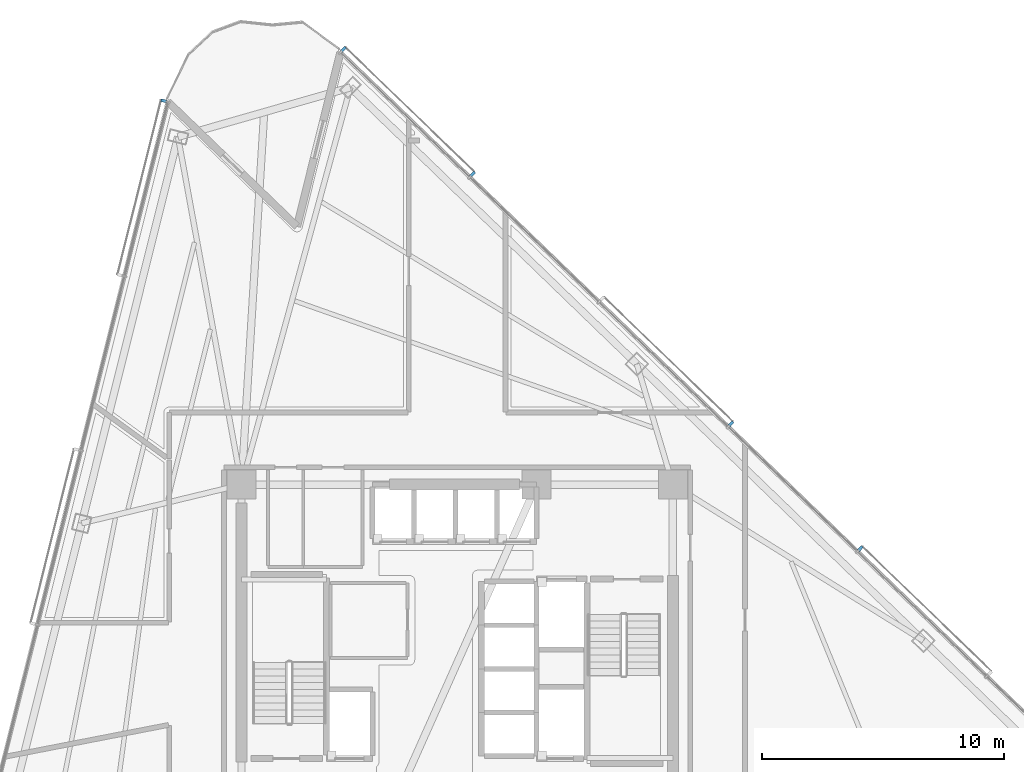
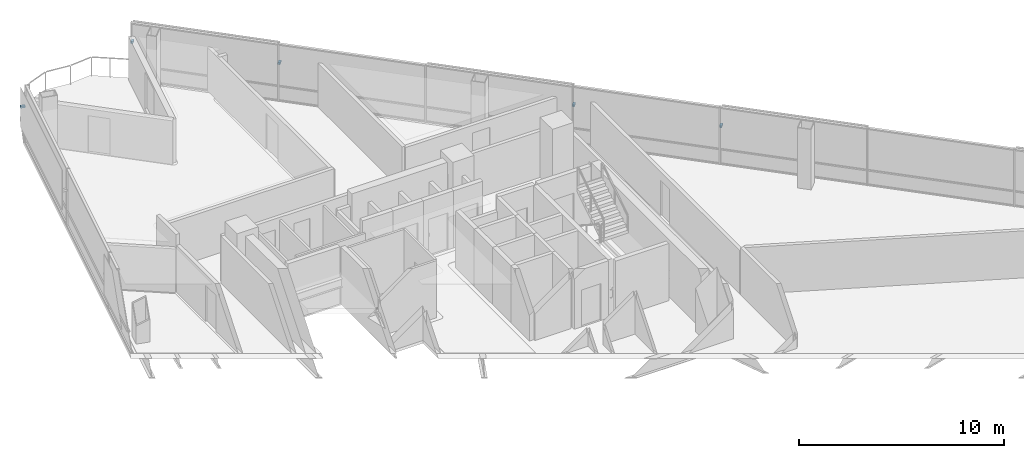
# One storey, part 14 of 17: 5 discrete accessories.
"""IFC4 building model written with IfcOpenShell, lengths in metres."""

import ifcopenshell
import ifcopenshell.guid

model = None  # the IFC model being written
_history = None  # IfcOwnerHistory: only IFC2X3 demands one
_inside = {}  # id of a spatial element -> (the spatial element, [elements in it])
_under = {}  # id of a project, library or spatial element -> (it, [spatial elements below it])
_declared = {}  # id of a project -> (the project, [libraries it declares])
_typed = {}  # id of a type object -> (the type object, [elements of that type])
_made_of = {}  # id of a material, layer set ... -> (it, [elements and type objects made of it])


def new_model(schema):
    """Start an empty IFC model of exactly this schema.

    Asked for "IFC4X3", IfcOpenShell would pick the latest addendum, in which some entities
    have other attributes; the version numbers below select the first issue.
    IFC2X3 requires an IfcOwnerHistory on every rooted entity: one is made here for all.
    """
    global model, _history
    if schema == "IFC4X3":
        model = ifcopenshell.file(schema_version=(4, 3, 0, 0))
    else:
        model = ifcopenshell.file(schema=schema)
    _inside.clear()
    _under.clear()
    _declared.clear()
    _typed.clear()
    _made_of.clear()
    _history = None
    if model.schema == "IFC2X3":
        org = make("IfcOrganization", Name="unknown")
        user = make(
            "IfcPersonAndOrganization",
            ThePerson=make("IfcPerson", FamilyName="unknown"),
            TheOrganization=org,
        )
        app = make(
            "IfcApplication",
            ApplicationDeveloper=org,
            Version="unknown",
            ApplicationFullName="unknown",
            ApplicationIdentifier="unknown",
        )
        _history = make(
            "IfcOwnerHistory",
            OwningUser=user,
            OwningApplication=app,
            ChangeAction="ADDED",
            CreationDate=0,
        )
    return model


def make(cls, **values):
    """One entity of the class cls with the attributes given. An attribute that is None is left unset."""
    return model.create_entity(
        cls, **{name: value for name, value in values.items() if value is not None}
    )


def rooted(cls, **values):
    """An entity with a GlobalId (a new one), such as an element, a storey or a relation."""
    return make(cls, GlobalId=ifcopenshell.guid.new(), OwnerHistory=_history, **values)


def si_unit(unit_type, name, prefix=None):
    """IfcSIUnit, for example si_unit("LENGTHUNIT", "METRE", prefix="MILLI")."""
    return make("IfcSIUnit", UnitType=unit_type, Prefix=prefix, Name=name)


def assignment(units):
    """IfcUnitAssignment: the units of a project."""
    return None if units is None else make("IfcUnitAssignment", Units=units)


def point(xyz):
    """IfcCartesianPoint."""
    return None if xyz is None else make("IfcCartesianPoint", Coordinates=xyz)


def direction(xyz):
    """IfcDirection."""
    return None if xyz is None else make("IfcDirection", DirectionRatios=xyz)


def frame(location, z_axis=None, x_axis=None):
    """IfcAxis2Placement3D, a coordinate frame: its origin and axes. An axis left out is left unset."""
    return make(
        "IfcAxis2Placement3D",
        Location=point(location),
        Axis=direction(z_axis),
        RefDirection=direction(x_axis),
    )


def frame_2d(location, x_axis=None):
    """IfcAxis2Placement2D, a coordinate frame in the plane: its origin and x axis."""
    return make(
        "IfcAxis2Placement2D", Location=point(location), RefDirection=direction(x_axis)
    )


def origin():
    """The frame at (0, 0, 0) with its axes left unset."""
    return frame((0.0, 0.0, 0.0))


def origin_2d():
    """The frame at (0, 0) in the plane with its x axis left unset."""
    return frame_2d((0.0, 0.0))


def place(relative_to, where):
    """IfcLocalPlacement: puts the frame where relative to a parent placement (None: the world)."""
    return make(
        "IfcLocalPlacement", PlacementRelTo=relative_to, RelativePlacement=where
    )


def context(
    kind, dimensions, precision=None, world=None, true_north=None, identifier=None
):
    """IfcGeometricRepresentationContext, for example the 3D "Model" context."""
    return make(
        "IfcGeometricRepresentationContext",
        ContextIdentifier=identifier,
        ContextType=kind,
        CoordinateSpaceDimension=dimensions,
        Precision=precision,
        WorldCoordinateSystem=world,
        TrueNorth=true_north,
    )


def subcontext(parent, identifier, kind, view, scale=None):
    """IfcGeometricRepresentationSubContext, for example "Body" below "Model"."""
    return make(
        "IfcGeometricRepresentationSubContext",
        ContextIdentifier=identifier,
        ContextType=kind,
        ParentContext=parent,
        TargetScale=scale,
        TargetView=view,
    )


def project(units=None, contexts=None):
    """IfcProject with its units and contexts."""
    return rooted(
        "IfcProject",
        Name="project",
        RepresentationContexts=contexts,
        UnitsInContext=assignment(units),
    )


def spatial(cls, under=None, at=None, **own):
    """A site, building, storey or space (cls), placed at a placement, below another one or the project."""
    s = rooted(cls, ObjectPlacement=at, **own)
    if under is not None:
        _under.setdefault(under.id(), (under, []))[1].append(s)
    return s


def profile(cls, at=None, kind="AREA", **sizes):
    """A parametric profile (cls). Its sizes go by their IFC names, for example OverallWidth=200.0."""
    return make(cls, ProfileType=kind, Position=at, **sizes)


def rectangle(**sizes):
    """IfcRectangleProfileDef."""
    return profile("IfcRectangleProfileDef", **sizes)


def extrude(swept, where, along, depth):
    """IfcExtrudedAreaSolid: the profile swept, set in the frame where, extruded along a direction by depth."""
    return make(
        "IfcExtrudedAreaSolid",
        SweptArea=swept,
        Position=where,
        ExtrudedDirection=direction(along),
        Depth=depth,
    )


def shape(context_of_items, identifier, shape_type, items):
    """IfcShapeRepresentation: the items that make up one representation, for example the "Body"."""
    return make(
        "IfcShapeRepresentation",
        ContextOfItems=context_of_items,
        RepresentationIdentifier=identifier,
        RepresentationType=shape_type,
        Items=items,
    )


def material(Name=None, Category=None):
    """IfcMaterial."""
    return make("IfcMaterial", Name=Name, Category=Category)


def made_of(thing, what):
    """Note that an element or type object is made of a material, layer set ...; save() writes the relation."""
    if what is not None:
        _made_of.setdefault(what.id(), (what, []))[1].append(thing)
    return thing


def type_object(cls, material=None, **own):
    """A type object (cls), such as IfcWallType, which elements share."""
    return made_of(rooted(cls, **own), material)


def element(
    cls,
    number,
    at=None,
    inside=None,
    cuts=None,
    type_object=None,
    material=None,
    context=None,
    identifier="Body",
    shape_type=None,
    held_by="IfcProductDefinitionShape",
    body=None,
    shapes=None,
    **own,
):
    """One element of the class cls, such as IfcWall. Its Tag is "e" and its number.

    at: its placement. inside: the storey or other place that contains it. cuts: it is an
    opening in that element (IfcRelVoidsElement). A single representation is given by context,
    identifier, shape_type and body (its items); several are given by shapes. held_by: the class
    of the entity that holds the representations. save() writes the other relations.
    """
    e = rooted(cls, Tag="e%d" % number, ObjectPlacement=at, **own)
    if body is not None:
        shapes = [shape(context, identifier, shape_type, body)]
    if shapes is not None:
        e.Representation = make(held_by, Representations=shapes)
    if inside is not None:
        _inside.setdefault(inside.id(), (inside, []))[1].append(e)
    if cuts is not None:
        rooted(
            "IfcRelVoidsElement", RelatingBuildingElement=cuts, RelatedOpeningElement=e
        )
    if type_object is not None:
        _typed.setdefault(type_object.id(), (type_object, []))[1].append(e)
    return made_of(e, material)


def aggregate(whole, parts):
    """IfcRelAggregates: a whole, such as a stair, and the parts it consists of."""
    return rooted("IfcRelAggregates", RelatingObject=whole, RelatedObjects=parts)


def save(model, path):
    """Write the relations noted so far, then the file.

    IfcRelAggregates (storeys below a building ...), IfcRelContainedInSpatialStructure (elements
    in a storey), IfcRelDefinesByType, IfcRelAssociatesMaterial and IfcRelDeclares: one each for
    every whole, place, type object, material and project.
    """
    for whole, parts in _under.values():
        aggregate(whole, parts)
    for where, things in _inside.values():
        rooted(
            "IfcRelContainedInSpatialStructure",
            RelatedElements=things,
            RelatingStructure=where,
        )
    for kind, things in _typed.values():
        rooted("IfcRelDefinesByType", RelatedObjects=things, RelatingType=kind)
    for what, things in _made_of.values():
        rooted("IfcRelAssociatesMaterial", RelatedObjects=things, RelatingMaterial=what)
    for by, libraries in _declared.values():
        rooted("IfcRelDeclares", RelatingContext=by, RelatedDefinitions=libraries)
    model.write(path)


model = new_model("IFC4")

# Units and contexts
model_context = context("Model", 3, precision=1e-05, world=origin(), true_north=direction((0.0, 1.0)))
body_context = subcontext(model_context, "Body", "Model", "MODEL_VIEW")
ifc_project = project(units=[si_unit("LENGTHUNIT", "METRE"), si_unit("AREAUNIT", "SQUARE_METRE"), si_unit("VOLUMEUNIT", "CUBIC_METRE"), si_unit("PLANEANGLEUNIT", "RADIAN"), si_unit("MASSUNIT", "GRAM", prefix="KILO")], contexts=[model_context])

# Site, building, storey
site_placement = place(None, origin())
site = spatial("IfcSite", under=ifc_project, at=site_placement, CompositionType="ELEMENT")
building_placement = place(site_placement, origin())
building = spatial("IfcBuilding", under=site, at=building_placement, Name="Tharavind Bronze Gate", CompositionType="ELEMENT")
storey_placement = place(building_placement, frame((0.0, 0.0, 96.89990234375)))
storey = spatial("IfcBuildingStorey", under=building, at=storey_placement, Name="L24", CompositionType="ELEMENT", Elevation=96.89990234375)

# Discrete accessories
ifc_material = material(Name="Stainless Steel 316", Category="steel")
discrete_accessory_type = type_object("IfcDiscreteAccessoryType", Name="SOLAR SCREEN STANDOFF BRACKET", PredefinedType="BRACKET", material=ifc_material)
for number, where, z_axis, x_axis, name in (
    (1, (-12.1083984375, 23.437744140625, 2.094970703125), (0.0, 0.0, 1.0), (-0.2419218956, -0.970295726276, 0.0), "CW-L24-S1 solar screen bracket 1.1"),
    (2, (16.637939453125, 4.962158203125, 2.094970703125), (0.0, 0.0, 1.0), (-0.719341012745, 0.694657114973, 0.0), "CW-L24-S3 solar screen bracket 3.2"),
    (3, (11.3046875, 10.1123046875, 2.094970703125), (0.0, 0.0, 1.0), (-0.719341012745, 0.694657114973, 0.0), "CW-L24-S3 solar screen bracket 5.1"),
    (4, (0.637939453125, 20.4130859375, 2.094970703125), (0.0, 0.0, 1.0), (-0.719341012745, 0.694657114973, 0.0), "CW-L24-S3 solar screen bracket 7.1"),
    (5, (-4.6953125, 25.5634765625, 2.094970703125), (0.0, 0.0, 1.0), (-0.719341012745, 0.694657114973, 0.0), "CW-L24-S3 solar screen bracket 7.2"),
):
    element("IfcDiscreteAccessory", number, at=place(storey_placement, frame(where, z_axis=z_axis, x_axis=x_axis)), inside=storey, type_object=discrete_accessory_type, Name=name, PredefinedType="BRACKET", context=body_context, shape_type="SweptSolid", body=[
        extrude(rectangle(XDim=0.1201171875, YDim=0.239990234375, at=origin_2d()), origin(), (0.0, 0.0, 1.0), 0.1201171875),
    ])

save(model, "model.ifc")
